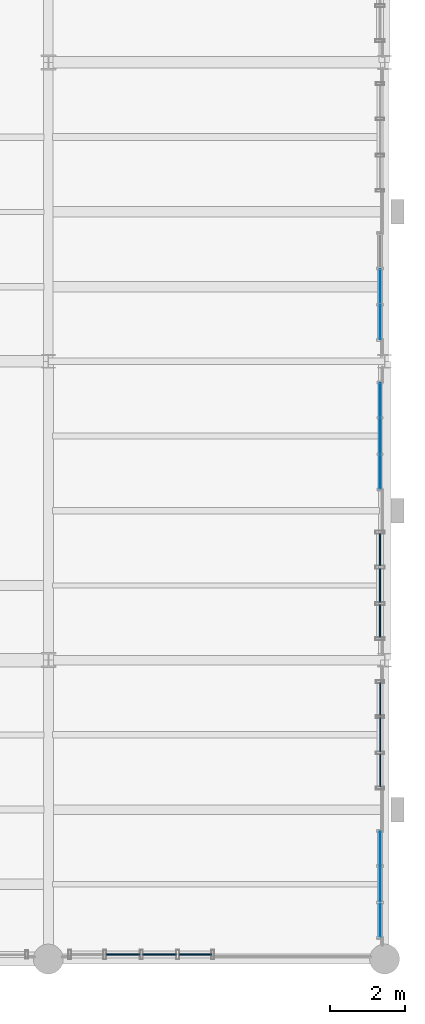
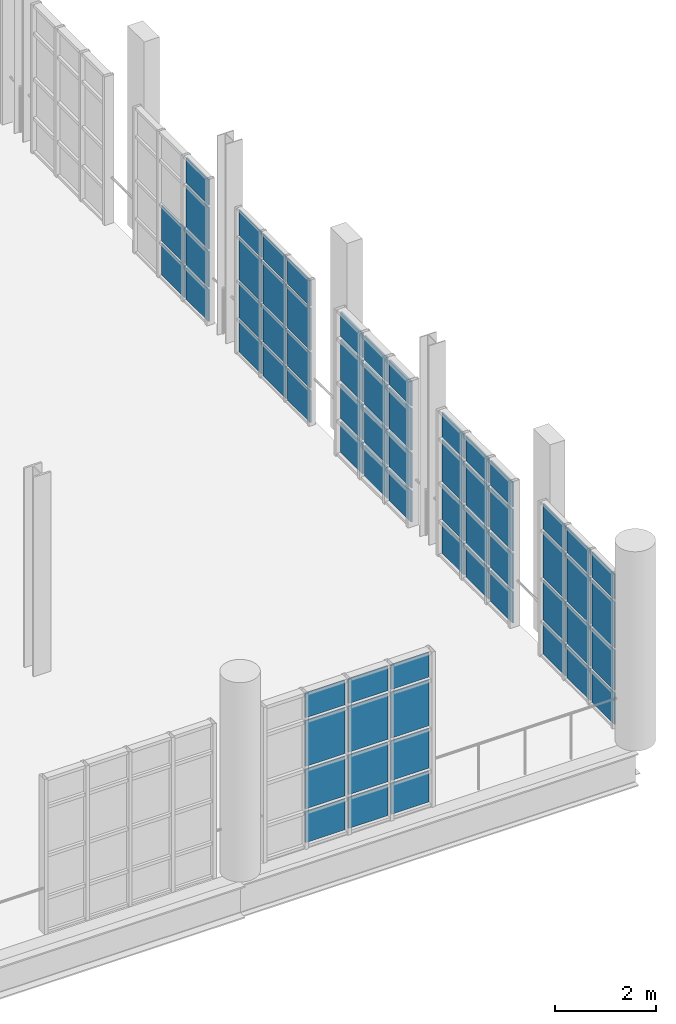
# One storey, part 91 of 122: 66 plates, 6 elements without a shape of their own.
"""IFC4 building model written with IfcOpenShell, lengths in metres."""

from ifc_helpers import new_model, si_unit, direction, frame, origin, origin_2d, place, context, subcontext, project, spatial, rectangle, extrude, material, layer, layer_set, type_object, element, aggregate, save


model = new_model("IFC4")

# Units and contexts
model_context = context("Model", 3, precision=1e-05, world=origin(), true_north=direction((0.0, 1.0)))
body_context = subcontext(model_context, "Body", "Model", "MODEL_VIEW")
ifc_project = project(units=[si_unit("LENGTHUNIT", "METRE"), si_unit("AREAUNIT", "SQUARE_METRE"), si_unit("VOLUMEUNIT", "CUBIC_METRE"), si_unit("PLANEANGLEUNIT", "RADIAN"), si_unit("MASSUNIT", "GRAM", prefix="KILO"), si_unit("THERMODYNAMICTEMPERATUREUNIT", "KELVIN"), si_unit("POWERUNIT", "WATT")], contexts=[model_context])

# Site, building, storey
site_placement = place(None, origin())
site = spatial("IfcSite", under=ifc_project, at=site_placement, CompositionType="ELEMENT")
building_placement = place(site_placement, origin())
building = spatial("IfcBuilding", under=site, at=building_placement, Name="Zelmaris Science Centre", CompositionType="ELEMENT")
storey_placement = place(building_placement, frame((0.0, 0.0, 10.800048828125)))
storey = spatial("IfcBuildingStorey", under=building, at=storey_placement, Name="L02", CompositionType="ELEMENT", Elevation=10.800048828125)

# Curtain wall, plates
ifc_material_1 = material(Name="Anodised architectural aluminium 6063-T6", Category="aluminium")
ifc_layer_1 = layer(ifc_material_1, 0.18994140625, Name="Anodised architectural aluminium 6063-T6")
ifc_layer_set_1 = layer_set([ifc_layer_1], Name="Anodised architectural aluminium 6063-T6")
curtain_wall_type_1 = type_object("IfcCurtainWallType", Name="Curtain Wall CW-01", PredefinedType="USERDEFINED", material=ifc_layer_set_1)
curtain_wall_1_placement = place(storey_placement, origin())
curtain_wall_1 = element("IfcCurtainWall", 1, at=curtain_wall_1_placement, inside=storey, type_object=curtain_wall_type_1, Name="L02 Unitised curtain wall 233", ObjectType="GLAZED CURTAIN WALL", PredefinedType="USERDEFINED")
ifc_material_2 = material(Name="Laminated hurricane-rated low-E insulated glazing", Category="glass")
ifc_layer_2 = layer(ifc_material_2, 0.031982421875, Name="Laminated hurricane-rated low-E insulated glazing")
ifc_layer_set_2 = layer_set([ifc_layer_2], Name="Laminated hurricane-rated low-E insulated glazing")
plate_type_1 = type_object("IfcPlateType", Name="Curtain Glazing Panel CWP-1 32mm", PredefinedType="CURTAIN_PANEL", material=ifc_layer_set_2)
plate_1_placement = place(storey_placement, frame((143.8798828125, 18.955322265625, 0.05712890625), z_axis=(0.0, 0.0, 1.0), x_axis=(0.0, -1.0, 0.0)))
plate_1 = element("IfcPlate", 2, at=plate_1_placement, type_object=plate_type_1, Name="CW-01 panel 1.1", PredefinedType="CURTAIN_PANEL", context=body_context, shape_type="SweptSolid", body=[
    extrude(rectangle(XDim=0.865234375, YDim=0.031982421875, at=origin_2d()), origin(), (0.0, 0.0, 1.0), 0.741943359375),
])
plate_2_placement = place(storey_placement, frame((143.8798828125, 18.955322265625, 0.87109375), z_axis=(0.0, 0.0, 1.0), x_axis=(0.0, -1.0, 0.0)))
plate_2 = element("IfcPlate", 3, at=plate_2_placement, type_object=plate_type_1, Name="CW-01 panel 1.2", PredefinedType="CURTAIN_PANEL", context=body_context, shape_type="SweptSolid", body=[
    extrude(rectangle(XDim=0.865234375, YDim=0.031982421875, at=origin_2d()), origin(), (0.0, 0.0, 1.0), 0.842529296875),
])
plate_3_placement = place(storey_placement, frame((143.8798828125, 18.955322265625, 1.78564453125), z_axis=(0.0, 0.0, 1.0), x_axis=(0.0, -1.0, 0.0)))
plate_3 = element("IfcPlate", 4, at=plate_3_placement, type_object=plate_type_1, Name="CW-01 panel 1.3", PredefinedType="CURTAIN_PANEL", context=body_context, shape_type="SweptSolid", body=[
    extrude(rectangle(XDim=0.865234375, YDim=0.031982421875, at=origin_2d()), origin(), (0.0, 0.0, 1.0), 0.992431640625),
])
plate_4_placement = place(storey_placement, frame((143.8798828125, 18.955322265625, 2.85009765625), z_axis=(0.0, 0.0, 1.0), x_axis=(0.0, -1.0, 0.0)))
plate_4 = element("IfcPlate", 5, at=plate_4_placement, type_object=plate_type_1, Name="CW-01 panel 1.4", PredefinedType="CURTAIN_PANEL", context=body_context, shape_type="SweptSolid", body=[
    extrude(rectangle(XDim=0.865234375, YDim=0.031982421875, at=origin_2d()), origin(), (0.0, 0.0, 1.0), 0.592041015625),
])
plate_5_placement = place(storey_placement, frame((143.8798828125, 18.0, 0.05712890625), z_axis=(0.0, 0.0, 1.0), x_axis=(0.0, -1.0, 0.0)))
plate_5 = element("IfcPlate", 6, at=plate_5_placement, type_object=plate_type_1, Name="CW-01 panel 2.1", PredefinedType="CURTAIN_PANEL", context=body_context, shape_type="SweptSolid", body=[
    extrude(rectangle(XDim=0.9013671875, YDim=0.031982421875, at=origin_2d()), origin(), (0.0, 0.0, 1.0), 0.741943359375),
])
plate_6_placement = place(storey_placement, frame((143.8798828125, 18.0, 0.87109375), z_axis=(0.0, 0.0, 1.0), x_axis=(0.0, -1.0, 0.0)))
plate_6 = element("IfcPlate", 7, at=plate_6_placement, type_object=plate_type_1, Name="CW-01 panel 2.2", PredefinedType="CURTAIN_PANEL", context=body_context, shape_type="SweptSolid", body=[
    extrude(rectangle(XDim=0.9013671875, YDim=0.031982421875, at=origin_2d()), origin(), (0.0, 0.0, 1.0), 0.842529296875),
])
plate_7_placement = place(storey_placement, frame((143.8798828125, 18.0, 1.78564453125), z_axis=(0.0, 0.0, 1.0), x_axis=(0.0, -1.0, 0.0)))
plate_7 = element("IfcPlate", 8, at=plate_7_placement, type_object=plate_type_1, Name="CW-01 panel 2.3", PredefinedType="CURTAIN_PANEL", context=body_context, shape_type="SweptSolid", body=[
    extrude(rectangle(XDim=0.9013671875, YDim=0.031982421875, at=origin_2d()), origin(), (0.0, 0.0, 1.0), 0.992431640625),
])
plate_8_placement = place(storey_placement, frame((143.8798828125, 18.0, 2.85009765625), z_axis=(0.0, 0.0, 1.0), x_axis=(0.0, -1.0, 0.0)))
plate_8 = element("IfcPlate", 9, at=plate_8_placement, type_object=plate_type_1, Name="CW-01 panel 2.4", PredefinedType="CURTAIN_PANEL", context=body_context, shape_type="SweptSolid", body=[
    extrude(rectangle(XDim=0.9013671875, YDim=0.031982421875, at=origin_2d()), origin(), (0.0, 0.0, 1.0), 0.592041015625),
])
plate_9_placement = place(storey_placement, frame((143.8798828125, 17.044677734375, 0.05712890625), z_axis=(0.0, 0.0, 1.0), x_axis=(0.0, -1.0, 0.0)))
plate_9 = element("IfcPlate", 10, at=plate_9_placement, type_object=plate_type_1, Name="CW-01 panel 3.1", PredefinedType="CURTAIN_PANEL", context=body_context, shape_type="SweptSolid", body=[
    extrude(rectangle(XDim=0.865234375, YDim=0.031982421875, at=origin_2d()), origin(), (0.0, 0.0, 1.0), 0.741943359375),
])
plate_10_placement = place(storey_placement, frame((143.8798828125, 17.044677734375, 0.87109375), z_axis=(0.0, 0.0, 1.0), x_axis=(0.0, -1.0, 0.0)))
plate_10 = element("IfcPlate", 11, at=plate_10_placement, type_object=plate_type_1, Name="CW-01 panel 3.2", PredefinedType="CURTAIN_PANEL", context=body_context, shape_type="SweptSolid", body=[
    extrude(rectangle(XDim=0.865234375, YDim=0.031982421875, at=origin_2d()), origin(), (0.0, 0.0, 1.0), 0.842529296875),
])
plate_11_placement = place(storey_placement, frame((143.8798828125, 17.044677734375, 1.78564453125), z_axis=(0.0, 0.0, 1.0), x_axis=(0.0, -1.0, 0.0)))
plate_11 = element("IfcPlate", 12, at=plate_11_placement, type_object=plate_type_1, Name="CW-01 panel 3.3", PredefinedType="CURTAIN_PANEL", context=body_context, shape_type="SweptSolid", body=[
    extrude(rectangle(XDim=0.865234375, YDim=0.031982421875, at=origin_2d()), origin(), (0.0, 0.0, 1.0), 0.992431640625),
])
plate_12_placement = place(storey_placement, frame((143.8798828125, 17.044677734375, 2.85009765625), z_axis=(0.0, 0.0, 1.0), x_axis=(0.0, -1.0, 0.0)))
plate_12 = element("IfcPlate", 13, at=plate_12_placement, type_object=plate_type_1, Name="CW-01 panel 3.4", PredefinedType="CURTAIN_PANEL", context=body_context, shape_type="SweptSolid", body=[
    extrude(rectangle(XDim=0.865234375, YDim=0.031982421875, at=origin_2d()), origin(), (0.0, 0.0, 1.0), 0.592041015625),
])
aggregate(curtain_wall_1, [plate_1, plate_2, plate_3, plate_4, plate_5, plate_6, plate_7, plate_8, plate_9, plate_10, plate_11, plate_12])

curtain_wall_2_placement = place(storey_placement, origin())
curtain_wall_2 = element("IfcCurtainWall", 14, at=curtain_wall_2_placement, inside=storey, type_object=curtain_wall_type_1, Name="L02 Unitised curtain wall 237", ObjectType="GLAZED CURTAIN WALL", PredefinedType="USERDEFINED")
plate_13_placement = place(storey_placement, frame((138.9345703125, 8.1201171875, 0.05712890625), z_axis=(0.0, 0.0, 1.0), x_axis=(-1.0, 0.0, 0.0)))
plate_13 = element("IfcPlate", 15, at=plate_13_placement, type_object=plate_type_1, Name="CW-01 panel 1.1", PredefinedType="CURTAIN_PANEL", context=body_context, shape_type="SweptSolid", body=[
    extrude(rectangle(XDim=0.866943359375, YDim=0.031982421875, at=origin_2d()), origin(), (0.0, 0.0, 1.0), 0.741943359375),
])
plate_14_placement = place(storey_placement, frame((138.9345703125, 8.1201171875, 0.87109375), z_axis=(0.0, 0.0, 1.0), x_axis=(-1.0, 0.0, 0.0)))
plate_14 = element("IfcPlate", 16, at=plate_14_placement, type_object=plate_type_1, Name="CW-01 panel 1.2", PredefinedType="CURTAIN_PANEL", context=body_context, shape_type="SweptSolid", body=[
    extrude(rectangle(XDim=0.866943359375, YDim=0.031982421875, at=origin_2d()), origin(), (0.0, 0.0, 1.0), 0.949462890625),
])
plate_15_placement = place(storey_placement, frame((138.9345703125, 8.1201171875, 1.892333984375), z_axis=(0.0, 0.0, 1.0), x_axis=(-1.0, 0.0, 0.0)))
plate_15 = element("IfcPlate", 17, at=plate_15_placement, type_object=plate_type_1, Name="CW-01 panel 1.3", PredefinedType="CURTAIN_PANEL", context=body_context, shape_type="SweptSolid", body=[
    extrude(rectangle(XDim=0.866943359375, YDim=0.031982421875, at=origin_2d()), origin(), (0.0, 0.0, 1.0), 1.099609375),
])
plate_16_placement = place(storey_placement, frame((138.9345703125, 8.1201171875, 3.06396484375), z_axis=(0.0, 0.0, 1.0), x_axis=(-1.0, 0.0, 0.0)))
plate_16 = element("IfcPlate", 18, at=plate_16_placement, type_object=plate_type_1, Name="CW-01 panel 1.4", PredefinedType="CURTAIN_PANEL", context=body_context, shape_type="SweptSolid", body=[
    extrude(rectangle(XDim=0.866943359375, YDim=0.031982421875, at=origin_2d()), origin(), (0.0, 0.0, 1.0), 0.592041015625),
])
plate_17_placement = place(storey_placement, frame((137.9775390625, 8.1201171875, 0.05712890625), z_axis=(0.0, 0.0, 1.0), x_axis=(-1.0, 0.0, 0.0)))
plate_17 = element("IfcPlate", 19, at=plate_17_placement, type_object=plate_type_1, Name="CW-01 panel 2.1", PredefinedType="CURTAIN_PANEL", context=body_context, shape_type="SweptSolid", body=[
    extrude(rectangle(XDim=0.903076171875, YDim=0.031982421875, at=origin_2d()), origin(), (0.0, 0.0, 1.0), 0.741943359375),
])
plate_18_placement = place(storey_placement, frame((137.9775390625, 8.1201171875, 0.87109375), z_axis=(0.0, 0.0, 1.0), x_axis=(-1.0, 0.0, 0.0)))
plate_18 = element("IfcPlate", 20, at=plate_18_placement, type_object=plate_type_1, Name="CW-01 panel 2.2", PredefinedType="CURTAIN_PANEL", context=body_context, shape_type="SweptSolid", body=[
    extrude(rectangle(XDim=0.903076171875, YDim=0.031982421875, at=origin_2d()), origin(), (0.0, 0.0, 1.0), 0.949462890625),
])
plate_19_placement = place(storey_placement, frame((137.9775390625, 8.1201171875, 1.892333984375), z_axis=(0.0, 0.0, 1.0), x_axis=(-1.0, 0.0, 0.0)))
plate_19 = element("IfcPlate", 21, at=plate_19_placement, type_object=plate_type_1, Name="CW-01 panel 2.3", PredefinedType="CURTAIN_PANEL", context=body_context, shape_type="SweptSolid", body=[
    extrude(rectangle(XDim=0.903076171875, YDim=0.031982421875, at=origin_2d()), origin(), (0.0, 0.0, 1.0), 1.099609375),
])
plate_20_placement = place(storey_placement, frame((137.9775390625, 8.1201171875, 3.06396484375), z_axis=(0.0, 0.0, 1.0), x_axis=(-1.0, 0.0, 0.0)))
plate_20 = element("IfcPlate", 22, at=plate_20_placement, type_object=plate_type_1, Name="CW-01 panel 2.4", PredefinedType="CURTAIN_PANEL", context=body_context, shape_type="SweptSolid", body=[
    extrude(rectangle(XDim=0.903076171875, YDim=0.031982421875, at=origin_2d()), origin(), (0.0, 0.0, 1.0), 0.592041015625),
])
plate_21_placement = place(storey_placement, frame((137.00244140625, 8.1201171875, 0.05712890625), z_axis=(0.0, 0.0, 1.0), x_axis=(-1.0, 0.0, 0.0)))
plate_21 = element("IfcPlate", 23, at=plate_21_placement, type_object=plate_type_1, Name="CW-01 panel 3.1", PredefinedType="CURTAIN_PANEL", context=body_context, shape_type="SweptSolid", body=[
    extrude(rectangle(XDim=0.903076171875, YDim=0.031982421875, at=origin_2d()), origin(), (0.0, 0.0, 1.0), 0.741943359375),
])
plate_22_placement = place(storey_placement, frame((137.00244140625, 8.1201171875, 0.87109375), z_axis=(0.0, 0.0, 1.0), x_axis=(-1.0, 0.0, 0.0)))
plate_22 = element("IfcPlate", 24, at=plate_22_placement, type_object=plate_type_1, Name="CW-01 panel 3.2", PredefinedType="CURTAIN_PANEL", context=body_context, shape_type="SweptSolid", body=[
    extrude(rectangle(XDim=0.903076171875, YDim=0.031982421875, at=origin_2d()), origin(), (0.0, 0.0, 1.0), 0.949462890625),
])
plate_23_placement = place(storey_placement, frame((137.00244140625, 8.1201171875, 1.892333984375), z_axis=(0.0, 0.0, 1.0), x_axis=(-1.0, 0.0, 0.0)))
plate_23 = element("IfcPlate", 25, at=plate_23_placement, type_object=plate_type_1, Name="CW-01 panel 3.3", PredefinedType="CURTAIN_PANEL", context=body_context, shape_type="SweptSolid", body=[
    extrude(rectangle(XDim=0.903076171875, YDim=0.031982421875, at=origin_2d()), origin(), (0.0, 0.0, 1.0), 1.099609375),
])
plate_24_placement = place(storey_placement, frame((137.00244140625, 8.1201171875, 3.06396484375), z_axis=(0.0, 0.0, 1.0), x_axis=(-1.0, 0.0, 0.0)))
plate_24 = element("IfcPlate", 26, at=plate_24_placement, type_object=plate_type_1, Name="CW-01 panel 3.4", PredefinedType="CURTAIN_PANEL", context=body_context, shape_type="SweptSolid", body=[
    extrude(rectangle(XDim=0.903076171875, YDim=0.031982421875, at=origin_2d()), origin(), (0.0, 0.0, 1.0), 0.592041015625),
])
aggregate(curtain_wall_2, [plate_13, plate_14, plate_15, plate_16, plate_17, plate_18, plate_19, plate_20, plate_21, plate_22, plate_23, plate_24])

ifc_layer_3 = layer(ifc_material_1, 0.199951171875, Name="Anodised architectural aluminium 6063-T6")
ifc_layer_set_3 = layer_set([ifc_layer_3], Name="Anodised architectural aluminium 6063-T6")
curtain_wall_type_2 = type_object("IfcCurtainWallType", Name="Curtain Wall CW-02", PredefinedType="USERDEFINED", material=ifc_layer_set_3)
curtain_wall_3_placement = place(storey_placement, origin())
curtain_wall_3 = element("IfcCurtainWall", 27, at=curtain_wall_3_placement, inside=storey, type_object=curtain_wall_type_2, Name="L02 Unitised curtain wall 234", ObjectType="GLAZED CURTAIN WALL", PredefinedType="USERDEFINED")
ifc_layer_4 = layer(ifc_material_2, 0.028076171875, Name="Laminated hurricane-rated low-E insulated glazing")
ifc_layer_set_4 = layer_set([ifc_layer_4], Name="Laminated hurricane-rated low-E insulated glazing")
plate_type_2 = type_object("IfcPlateType", Name="Curtain Glazing Panel CWP-2 28mm", PredefinedType="CURTAIN_PANEL", material=ifc_layer_set_4)
plate_25_placement = place(storey_placement, frame((143.8798828125, 14.95654296875, 0.052001953125), z_axis=(0.0, 0.0, 1.0), x_axis=(0.0, -1.0, 0.0)))
plate_25 = element("IfcPlate", 28, at=plate_25_placement, type_object=plate_type_2, Name="CW-02 panel 1.1", PredefinedType="CURTAIN_PANEL", context=body_context, shape_type="SweptSolid", body=[
    extrude(rectangle(XDim=0.872802734375, YDim=0.028076171875, at=origin_2d()), origin(), (0.0, 0.0, 1.0), 0.74951171875),
])
plate_26_placement = place(storey_placement, frame((143.8798828125, 14.95654296875, 0.86865234375), z_axis=(0.0, 0.0, 1.0), x_axis=(0.0, -1.0, 0.0)))
plate_26 = element("IfcPlate", 29, at=plate_26_placement, type_object=plate_type_2, Name="CW-02 panel 1.2", PredefinedType="CURTAIN_PANEL", context=body_context, shape_type="SweptSolid", body=[
    extrude(rectangle(XDim=0.872802734375, YDim=0.028076171875, at=origin_2d()), origin(), (0.0, 0.0, 1.0), 0.847412109375),
])
plate_27_placement = place(storey_placement, frame((143.8798828125, 14.95654296875, 1.782958984375), z_axis=(0.0, 0.0, 1.0), x_axis=(0.0, -1.0, 0.0)))
plate_27 = element("IfcPlate", 30, at=plate_27_placement, type_object=plate_type_2, Name="CW-02 panel 1.3", PredefinedType="CURTAIN_PANEL", context=body_context, shape_type="SweptSolid", body=[
    extrude(rectangle(XDim=0.872802734375, YDim=0.028076171875, at=origin_2d()), origin(), (0.0, 0.0, 1.0), 0.99755859375),
])
plate_28_placement = place(storey_placement, frame((143.8798828125, 14.95654296875, 2.847412109375), z_axis=(0.0, 0.0, 1.0), x_axis=(0.0, -1.0, 0.0)))
plate_28 = element("IfcPlate", 31, at=plate_28_placement, type_object=plate_type_2, Name="CW-02 panel 1.4", PredefinedType="CURTAIN_PANEL", context=body_context, shape_type="SweptSolid", body=[
    extrude(rectangle(XDim=0.872802734375, YDim=0.028076171875, at=origin_2d()), origin(), (0.0, 0.0, 1.0), 0.599609375),
])
plate_29_placement = place(storey_placement, frame((143.8798828125, 14.0, 0.052001953125), z_axis=(0.0, 0.0, 1.0), x_axis=(0.0, -1.0, 0.0)))
plate_29 = element("IfcPlate", 32, at=plate_29_placement, type_object=plate_type_2, Name="CW-02 panel 2.1", PredefinedType="CURTAIN_PANEL", context=body_context, shape_type="SweptSolid", body=[
    extrude(rectangle(XDim=0.90625, YDim=0.028076171875, at=origin_2d()), origin(), (0.0, 0.0, 1.0), 0.74951171875),
])
plate_30_placement = place(storey_placement, frame((143.8798828125, 14.0, 0.86865234375), z_axis=(0.0, 0.0, 1.0), x_axis=(0.0, -1.0, 0.0)))
plate_30 = element("IfcPlate", 33, at=plate_30_placement, type_object=plate_type_2, Name="CW-02 panel 2.2", PredefinedType="CURTAIN_PANEL", context=body_context, shape_type="SweptSolid", body=[
    extrude(rectangle(XDim=0.90625, YDim=0.028076171875, at=origin_2d()), origin(), (0.0, 0.0, 1.0), 0.847412109375),
])
plate_31_placement = place(storey_placement, frame((143.8798828125, 14.0, 1.782958984375), z_axis=(0.0, 0.0, 1.0), x_axis=(0.0, -1.0, 0.0)))
plate_31 = element("IfcPlate", 34, at=plate_31_placement, type_object=plate_type_2, Name="CW-02 panel 2.3", PredefinedType="CURTAIN_PANEL", context=body_context, shape_type="SweptSolid", body=[
    extrude(rectangle(XDim=0.90625, YDim=0.028076171875, at=origin_2d()), origin(), (0.0, 0.0, 1.0), 0.99755859375),
])
plate_32_placement = place(storey_placement, frame((143.8798828125, 14.0, 2.847412109375), z_axis=(0.0, 0.0, 1.0), x_axis=(0.0, -1.0, 0.0)))
plate_32 = element("IfcPlate", 35, at=plate_32_placement, type_object=plate_type_2, Name="CW-02 panel 2.4", PredefinedType="CURTAIN_PANEL", context=body_context, shape_type="SweptSolid", body=[
    extrude(rectangle(XDim=0.90625, YDim=0.028076171875, at=origin_2d()), origin(), (0.0, 0.0, 1.0), 0.599609375),
])
plate_33_placement = place(storey_placement, frame((143.8798828125, 13.04345703125, 0.052001953125), z_axis=(0.0, 0.0, 1.0), x_axis=(0.0, -1.0, 0.0)))
plate_33 = element("IfcPlate", 36, at=plate_33_placement, type_object=plate_type_2, Name="CW-02 panel 3.1", PredefinedType="CURTAIN_PANEL", context=body_context, shape_type="SweptSolid", body=[
    extrude(rectangle(XDim=0.872802734375, YDim=0.028076171875, at=origin_2d()), origin(), (0.0, 0.0, 1.0), 0.74951171875),
])
plate_34_placement = place(storey_placement, frame((143.8798828125, 13.04345703125, 0.86865234375), z_axis=(0.0, 0.0, 1.0), x_axis=(0.0, -1.0, 0.0)))
plate_34 = element("IfcPlate", 37, at=plate_34_placement, type_object=plate_type_2, Name="CW-02 panel 3.2", PredefinedType="CURTAIN_PANEL", context=body_context, shape_type="SweptSolid", body=[
    extrude(rectangle(XDim=0.872802734375, YDim=0.028076171875, at=origin_2d()), origin(), (0.0, 0.0, 1.0), 0.847412109375),
])
plate_35_placement = place(storey_placement, frame((143.8798828125, 13.04345703125, 1.782958984375), z_axis=(0.0, 0.0, 1.0), x_axis=(0.0, -1.0, 0.0)))
plate_35 = element("IfcPlate", 38, at=plate_35_placement, type_object=plate_type_2, Name="CW-02 panel 3.3", PredefinedType="CURTAIN_PANEL", context=body_context, shape_type="SweptSolid", body=[
    extrude(rectangle(XDim=0.872802734375, YDim=0.028076171875, at=origin_2d()), origin(), (0.0, 0.0, 1.0), 0.99755859375),
])
plate_36_placement = place(storey_placement, frame((143.8798828125, 13.04345703125, 2.847412109375), z_axis=(0.0, 0.0, 1.0), x_axis=(0.0, -1.0, 0.0)))
plate_36 = element("IfcPlate", 39, at=plate_36_placement, type_object=plate_type_2, Name="CW-02 panel 3.4", PredefinedType="CURTAIN_PANEL", context=body_context, shape_type="SweptSolid", body=[
    extrude(rectangle(XDim=0.872802734375, YDim=0.028076171875, at=origin_2d()), origin(), (0.0, 0.0, 1.0), 0.599609375),
])
aggregate(curtain_wall_3, [plate_25, plate_26, plate_27, plate_28, plate_29, plate_30, plate_31, plate_32, plate_33, plate_34, plate_35, plate_36])

ifc_layer_5 = layer(ifc_material_1, 0.2099609375, Name="Anodised architectural aluminium 6063-T6")
ifc_layer_set_5 = layer_set([ifc_layer_5], Name="Anodised architectural aluminium 6063-T6")
curtain_wall_type_3 = type_object("IfcCurtainWallType", Name="Curtain Wall CW-03", PredefinedType="USERDEFINED", material=ifc_layer_set_5)
curtain_wall_4_placement = place(storey_placement, origin())
curtain_wall_4 = element("IfcCurtainWall", 40, at=curtain_wall_4_placement, inside=storey, type_object=curtain_wall_type_3, Name="L02 Unitised curtain wall 231", ObjectType="GLAZED CURTAIN WALL", PredefinedType="USERDEFINED")
ifc_layer_6 = layer(ifc_material_2, 0.02587890625, Name="Laminated hurricane-rated low-E insulated glazing")
ifc_layer_set_6 = layer_set([ifc_layer_6], Name="Laminated hurricane-rated low-E insulated glazing")
plate_type_3 = type_object("IfcPlateType", Name="Curtain Glazing Panel CWP-3 26mm", PredefinedType="CURTAIN_PANEL", material=ifc_layer_set_6)
plate_37_placement = place(storey_placement, frame((143.8798828125, 26.0, 0.0419921875), z_axis=(0.0, 0.0, 1.0), x_axis=(0.0, -1.0, 0.0)))
plate_37 = element("IfcPlate", 41, at=plate_37_placement, type_object=plate_type_3, Name="CW-03 panel 2.1", PredefinedType="CURTAIN_PANEL", context=body_context, shape_type="SweptSolid", body=[
    extrude(rectangle(XDim=0.916259765625, YDim=0.02587890625, at=origin_2d()), origin(), (0.0, 0.0, 1.0), 0.764404296875),
])
plate_38_placement = place(storey_placement, frame((143.8798828125, 26.0, 0.863525390625), z_axis=(0.0, 0.0, 1.0), x_axis=(0.0, -1.0, 0.0)))
plate_38 = element("IfcPlate", 42, at=plate_38_placement, type_object=plate_type_3, Name="CW-03 panel 2.2", PredefinedType="CURTAIN_PANEL", context=body_context, shape_type="SweptSolid", body=[
    extrude(rectangle(XDim=0.916259765625, YDim=0.02587890625, at=origin_2d()), origin(), (0.0, 0.0, 1.0), 0.857421875),
])
plate_39_placement = place(storey_placement, frame((143.8798828125, 25.041015625, 0.0419921875), z_axis=(0.0, 0.0, 1.0), x_axis=(0.0, -1.0, 0.0)))
plate_39 = element("IfcPlate", 43, at=plate_39_placement, type_object=plate_type_3, Name="CW-03 panel 3.1", PredefinedType="CURTAIN_PANEL", context=body_context, shape_type="SweptSolid", body=[
    extrude(rectangle(XDim=0.887939453125, YDim=0.02587890625, at=origin_2d()), origin(), (0.0, 0.0, 1.0), 0.764404296875),
])
plate_40_placement = place(storey_placement, frame((143.8798828125, 25.041015625, 0.863525390625), z_axis=(0.0, 0.0, 1.0), x_axis=(0.0, -1.0, 0.0)))
plate_40 = element("IfcPlate", 44, at=plate_40_placement, type_object=plate_type_3, Name="CW-03 panel 3.2", PredefinedType="CURTAIN_PANEL", context=body_context, shape_type="SweptSolid", body=[
    extrude(rectangle(XDim=0.887939453125, YDim=0.02587890625, at=origin_2d()), origin(), (0.0, 0.0, 1.0), 0.857421875),
])
plate_41_placement = place(storey_placement, frame((143.8798828125, 25.041015625, 1.77783203125), z_axis=(0.0, 0.0, 1.0), x_axis=(0.0, -1.0, 0.0)))
plate_41 = element("IfcPlate", 45, at=plate_41_placement, type_object=plate_type_3, Name="CW-03 panel 3.3", PredefinedType="CURTAIN_PANEL", context=body_context, shape_type="SweptSolid", body=[
    extrude(rectangle(XDim=0.887939453125, YDim=0.02587890625, at=origin_2d()), origin(), (0.0, 0.0, 1.0), 1.007568359375),
])
plate_42_placement = place(storey_placement, frame((143.8798828125, 25.041015625, 2.84228515625), z_axis=(0.0, 0.0, 1.0), x_axis=(0.0, -1.0, 0.0)))
plate_42 = element("IfcPlate", 46, at=plate_42_placement, type_object=plate_type_3, Name="CW-03 panel 3.4", PredefinedType="CURTAIN_PANEL", context=body_context, shape_type="SweptSolid", body=[
    extrude(rectangle(XDim=0.887939453125, YDim=0.02587890625, at=origin_2d()), origin(), (0.0, 0.0, 1.0), 0.614501953125),
])
aggregate(curtain_wall_4, [plate_37, plate_38, plate_39, plate_40, plate_41, plate_42])

curtain_wall_5_placement = place(storey_placement, origin())
curtain_wall_5 = element("IfcCurtainWall", 47, at=curtain_wall_5_placement, inside=storey, type_object=curtain_wall_type_3, Name="L02 Unitised curtain wall 235", ObjectType="GLAZED CURTAIN WALL", PredefinedType="USERDEFINED")
plate_43_placement = place(storey_placement, frame((143.8798828125, 10.958984375, 0.0419921875), z_axis=(0.0, 0.0, 1.0), x_axis=(0.0, -1.0, 0.0)))
plate_43 = element("IfcPlate", 48, at=plate_43_placement, type_object=plate_type_3, Name="CW-03 panel 1.1", PredefinedType="CURTAIN_PANEL", context=body_context, shape_type="SweptSolid", body=[
    extrude(rectangle(XDim=0.8876953125, YDim=0.02587890625, at=origin_2d()), origin(), (0.0, 0.0, 1.0), 0.764404296875),
])
plate_44_placement = place(storey_placement, frame((143.8798828125, 10.958984375, 0.863525390625), z_axis=(0.0, 0.0, 1.0), x_axis=(0.0, -1.0, 0.0)))
plate_44 = element("IfcPlate", 49, at=plate_44_placement, type_object=plate_type_3, Name="CW-03 panel 1.2", PredefinedType="CURTAIN_PANEL", context=body_context, shape_type="SweptSolid", body=[
    extrude(rectangle(XDim=0.8876953125, YDim=0.02587890625, at=origin_2d()), origin(), (0.0, 0.0, 1.0), 0.962890625),
])
plate_45_placement = place(storey_placement, frame((143.8798828125, 10.958984375, 1.88330078125), z_axis=(0.0, 0.0, 1.0), x_axis=(0.0, -1.0, 0.0)))
plate_45 = element("IfcPlate", 50, at=plate_45_placement, type_object=plate_type_3, Name="CW-03 panel 1.3", PredefinedType="CURTAIN_PANEL", context=body_context, shape_type="SweptSolid", body=[
    extrude(rectangle(XDim=0.8876953125, YDim=0.02587890625, at=origin_2d()), origin(), (0.0, 0.0, 1.0), 1.113037109375),
])
plate_46_placement = place(storey_placement, frame((143.8798828125, 10.958984375, 3.05322265625), z_axis=(0.0, 0.0, 1.0), x_axis=(0.0, -1.0, 0.0)))
plate_46 = element("IfcPlate", 51, at=plate_46_placement, type_object=plate_type_3, Name="CW-03 panel 1.4", PredefinedType="CURTAIN_PANEL", context=body_context, shape_type="SweptSolid", body=[
    extrude(rectangle(XDim=0.8876953125, YDim=0.02587890625, at=origin_2d()), origin(), (0.0, 0.0, 1.0), 0.614501953125),
])
plate_47_placement = place(storey_placement, frame((143.8798828125, 10.0, 0.0419921875), z_axis=(0.0, 0.0, 1.0), x_axis=(0.0, -1.0, 0.0)))
plate_47 = element("IfcPlate", 52, at=plate_47_placement, type_object=plate_type_3, Name="CW-03 panel 2.1", PredefinedType="CURTAIN_PANEL", context=body_context, shape_type="SweptSolid", body=[
    extrude(rectangle(XDim=0.916259765625, YDim=0.02587890625, at=origin_2d()), origin(), (0.0, 0.0, 1.0), 0.764404296875),
])
plate_48_placement = place(storey_placement, frame((143.8798828125, 10.0, 0.863525390625), z_axis=(0.0, 0.0, 1.0), x_axis=(0.0, -1.0, 0.0)))
plate_48 = element("IfcPlate", 53, at=plate_48_placement, type_object=plate_type_3, Name="CW-03 panel 2.2", PredefinedType="CURTAIN_PANEL", context=body_context, shape_type="SweptSolid", body=[
    extrude(rectangle(XDim=0.916259765625, YDim=0.02587890625, at=origin_2d()), origin(), (0.0, 0.0, 1.0), 0.962890625),
])
plate_49_placement = place(storey_placement, frame((143.8798828125, 10.0, 1.88330078125), z_axis=(0.0, 0.0, 1.0), x_axis=(0.0, -1.0, 0.0)))
plate_49 = element("IfcPlate", 54, at=plate_49_placement, type_object=plate_type_3, Name="CW-03 panel 2.3", PredefinedType="CURTAIN_PANEL", context=body_context, shape_type="SweptSolid", body=[
    extrude(rectangle(XDim=0.916259765625, YDim=0.02587890625, at=origin_2d()), origin(), (0.0, 0.0, 1.0), 1.113037109375),
])
plate_50_placement = place(storey_placement, frame((143.8798828125, 10.0, 3.05322265625), z_axis=(0.0, 0.0, 1.0), x_axis=(0.0, -1.0, 0.0)))
plate_50 = element("IfcPlate", 55, at=plate_50_placement, type_object=plate_type_3, Name="CW-03 panel 2.4", PredefinedType="CURTAIN_PANEL", context=body_context, shape_type="SweptSolid", body=[
    extrude(rectangle(XDim=0.916259765625, YDim=0.02587890625, at=origin_2d()), origin(), (0.0, 0.0, 1.0), 0.614501953125),
])
plate_51_placement = place(storey_placement, frame((143.8798828125, 9.041015625, 0.0419921875), z_axis=(0.0, 0.0, 1.0), x_axis=(0.0, -1.0, 0.0)))
plate_51 = element("IfcPlate", 56, at=plate_51_placement, type_object=plate_type_3, Name="CW-03 panel 3.1", PredefinedType="CURTAIN_PANEL", context=body_context, shape_type="SweptSolid", body=[
    extrude(rectangle(XDim=0.8876953125, YDim=0.02587890625, at=origin_2d()), origin(), (0.0, 0.0, 1.0), 0.764404296875),
])
plate_52_placement = place(storey_placement, frame((143.8798828125, 9.041015625, 0.863525390625), z_axis=(0.0, 0.0, 1.0), x_axis=(0.0, -1.0, 0.0)))
plate_52 = element("IfcPlate", 57, at=plate_52_placement, type_object=plate_type_3, Name="CW-03 panel 3.2", PredefinedType="CURTAIN_PANEL", context=body_context, shape_type="SweptSolid", body=[
    extrude(rectangle(XDim=0.8876953125, YDim=0.02587890625, at=origin_2d()), origin(), (0.0, 0.0, 1.0), 0.962890625),
])
plate_53_placement = place(storey_placement, frame((143.8798828125, 9.041015625, 1.88330078125), z_axis=(0.0, 0.0, 1.0), x_axis=(0.0, -1.0, 0.0)))
plate_53 = element("IfcPlate", 58, at=plate_53_placement, type_object=plate_type_3, Name="CW-03 panel 3.3", PredefinedType="CURTAIN_PANEL", context=body_context, shape_type="SweptSolid", body=[
    extrude(rectangle(XDim=0.8876953125, YDim=0.02587890625, at=origin_2d()), origin(), (0.0, 0.0, 1.0), 1.113037109375),
])
plate_54_placement = place(storey_placement, frame((143.8798828125, 9.041015625, 3.05322265625), z_axis=(0.0, 0.0, 1.0), x_axis=(0.0, -1.0, 0.0)))
plate_54 = element("IfcPlate", 59, at=plate_54_placement, type_object=plate_type_3, Name="CW-03 panel 3.4", PredefinedType="CURTAIN_PANEL", context=body_context, shape_type="SweptSolid", body=[
    extrude(rectangle(XDim=0.8876953125, YDim=0.02587890625, at=origin_2d()), origin(), (0.0, 0.0, 1.0), 0.614501953125),
])
aggregate(curtain_wall_5, [plate_43, plate_44, plate_45, plate_46, plate_47, plate_48, plate_49, plate_50, plate_51, plate_52, plate_53, plate_54])

ifc_layer_7 = layer(ifc_material_1, 0.219970703125, Name="Anodised architectural aluminium 6063-T6")
ifc_layer_set_7 = layer_set([ifc_layer_7], Name="Anodised architectural aluminium 6063-T6")
curtain_wall_type_4 = type_object("IfcCurtainWallType", Name="Curtain Wall CW-04", PredefinedType="USERDEFINED", material=ifc_layer_set_7)
curtain_wall_6_placement = place(storey_placement, origin())
curtain_wall_6 = element("IfcCurtainWall", 60, at=curtain_wall_6_placement, inside=storey, type_object=curtain_wall_type_4, Name="L02 Unitised curtain wall 232", ObjectType="GLAZED CURTAIN WALL", PredefinedType="USERDEFINED")
ifc_layer_8 = layer(ifc_material_2, 0.02392578125, Name="Laminated hurricane-rated low-E insulated glazing")
ifc_layer_set_8 = layer_set([ifc_layer_8], Name="Laminated hurricane-rated low-E insulated glazing")
plate_type_4 = type_object("IfcPlateType", Name="Curtain Glazing Panel CWP-4 24mm", PredefinedType="CURTAIN_PANEL", material=ifc_layer_set_8)
plate_55_placement = place(storey_placement, frame((143.8798828125, 22.96044921875, 0.036865234375), z_axis=(0.0, 0.0, 1.0), x_axis=(0.0, -1.0, 0.0)))
plate_55 = element("IfcPlate", 61, at=plate_55_placement, type_object=plate_type_4, Name="CW-04 panel 1.1", PredefinedType="CURTAIN_PANEL", context=body_context, shape_type="SweptSolid", body=[
    extrude(rectangle(XDim=0.895263671875, YDim=0.02392578125, at=origin_2d()), origin(), (0.0, 0.0, 1.0), 0.77197265625),
])
plate_56_placement = place(storey_placement, frame((143.8798828125, 22.96044921875, 0.86083984375), z_axis=(0.0, 0.0, 1.0), x_axis=(0.0, -1.0, 0.0)))
plate_56 = element("IfcPlate", 62, at=plate_56_placement, type_object=plate_type_4, Name="CW-04 panel 1.2", PredefinedType="CURTAIN_PANEL", context=body_context, shape_type="SweptSolid", body=[
    extrude(rectangle(XDim=0.895263671875, YDim=0.02392578125, at=origin_2d()), origin(), (0.0, 0.0, 1.0), 0.862548828125),
])
plate_57_placement = place(storey_placement, frame((143.8798828125, 22.96044921875, 1.775390625), z_axis=(0.0, 0.0, 1.0), x_axis=(0.0, -1.0, 0.0)))
plate_57 = element("IfcPlate", 63, at=plate_57_placement, type_object=plate_type_4, Name="CW-04 panel 1.3", PredefinedType="CURTAIN_PANEL", context=body_context, shape_type="SweptSolid", body=[
    extrude(rectangle(XDim=0.895263671875, YDim=0.02392578125, at=origin_2d()), origin(), (0.0, 0.0, 1.0), 1.012451171875),
])
plate_58_placement = place(storey_placement, frame((143.8798828125, 22.96044921875, 2.83984375), z_axis=(0.0, 0.0, 1.0), x_axis=(0.0, -1.0, 0.0)))
plate_58 = element("IfcPlate", 64, at=plate_58_placement, type_object=plate_type_4, Name="CW-04 panel 1.4", PredefinedType="CURTAIN_PANEL", context=body_context, shape_type="SweptSolid", body=[
    extrude(rectangle(XDim=0.895263671875, YDim=0.02392578125, at=origin_2d()), origin(), (0.0, 0.0, 1.0), 0.6220703125),
])
plate_59_placement = place(storey_placement, frame((143.8798828125, 22.0, 0.036865234375), z_axis=(0.0, 0.0, 1.0), x_axis=(0.0, -1.0, 0.0)))
plate_59 = element("IfcPlate", 65, at=plate_59_placement, type_object=plate_type_4, Name="CW-04 panel 2.1", PredefinedType="CURTAIN_PANEL", context=body_context, shape_type="SweptSolid", body=[
    extrude(rectangle(XDim=0.92138671875, YDim=0.02392578125, at=origin_2d()), origin(), (0.0, 0.0, 1.0), 0.77197265625),
])
plate_60_placement = place(storey_placement, frame((143.8798828125, 22.0, 0.86083984375), z_axis=(0.0, 0.0, 1.0), x_axis=(0.0, -1.0, 0.0)))
plate_60 = element("IfcPlate", 66, at=plate_60_placement, type_object=plate_type_4, Name="CW-04 panel 2.2", PredefinedType="CURTAIN_PANEL", context=body_context, shape_type="SweptSolid", body=[
    extrude(rectangle(XDim=0.92138671875, YDim=0.02392578125, at=origin_2d()), origin(), (0.0, 0.0, 1.0), 0.862548828125),
])
plate_61_placement = place(storey_placement, frame((143.8798828125, 22.0, 1.775390625), z_axis=(0.0, 0.0, 1.0), x_axis=(0.0, -1.0, 0.0)))
plate_61 = element("IfcPlate", 67, at=plate_61_placement, type_object=plate_type_4, Name="CW-04 panel 2.3", PredefinedType="CURTAIN_PANEL", context=body_context, shape_type="SweptSolid", body=[
    extrude(rectangle(XDim=0.92138671875, YDim=0.02392578125, at=origin_2d()), origin(), (0.0, 0.0, 1.0), 1.012451171875),
])
plate_62_placement = place(storey_placement, frame((143.8798828125, 22.0, 2.83984375), z_axis=(0.0, 0.0, 1.0), x_axis=(0.0, -1.0, 0.0)))
plate_62 = element("IfcPlate", 68, at=plate_62_placement, type_object=plate_type_4, Name="CW-04 panel 2.4", PredefinedType="CURTAIN_PANEL", context=body_context, shape_type="SweptSolid", body=[
    extrude(rectangle(XDim=0.92138671875, YDim=0.02392578125, at=origin_2d()), origin(), (0.0, 0.0, 1.0), 0.6220703125),
])
plate_63_placement = place(storey_placement, frame((143.8798828125, 21.03955078125, 0.036865234375), z_axis=(0.0, 0.0, 1.0), x_axis=(0.0, -1.0, 0.0)))
plate_63 = element("IfcPlate", 69, at=plate_63_placement, type_object=plate_type_4, Name="CW-04 panel 3.1", PredefinedType="CURTAIN_PANEL", context=body_context, shape_type="SweptSolid", body=[
    extrude(rectangle(XDim=0.895263671875, YDim=0.02392578125, at=origin_2d()), origin(), (0.0, 0.0, 1.0), 0.77197265625),
])
plate_64_placement = place(storey_placement, frame((143.8798828125, 21.03955078125, 0.86083984375), z_axis=(0.0, 0.0, 1.0), x_axis=(0.0, -1.0, 0.0)))
plate_64 = element("IfcPlate", 70, at=plate_64_placement, type_object=plate_type_4, Name="CW-04 panel 3.2", PredefinedType="CURTAIN_PANEL", context=body_context, shape_type="SweptSolid", body=[
    extrude(rectangle(XDim=0.895263671875, YDim=0.02392578125, at=origin_2d()), origin(), (0.0, 0.0, 1.0), 0.862548828125),
])
plate_65_placement = place(storey_placement, frame((143.8798828125, 21.03955078125, 1.775390625), z_axis=(0.0, 0.0, 1.0), x_axis=(0.0, -1.0, 0.0)))
plate_65 = element("IfcPlate", 71, at=plate_65_placement, type_object=plate_type_4, Name="CW-04 panel 3.3", PredefinedType="CURTAIN_PANEL", context=body_context, shape_type="SweptSolid", body=[
    extrude(rectangle(XDim=0.895263671875, YDim=0.02392578125, at=origin_2d()), origin(), (0.0, 0.0, 1.0), 1.012451171875),
])
plate_66_placement = place(storey_placement, frame((143.8798828125, 21.03955078125, 2.83984375), z_axis=(0.0, 0.0, 1.0), x_axis=(0.0, -1.0, 0.0)))
plate_66 = element("IfcPlate", 72, at=plate_66_placement, type_object=plate_type_4, Name="CW-04 panel 3.4", PredefinedType="CURTAIN_PANEL", context=body_context, shape_type="SweptSolid", body=[
    extrude(rectangle(XDim=0.895263671875, YDim=0.02392578125, at=origin_2d()), origin(), (0.0, 0.0, 1.0), 0.6220703125),
])
aggregate(curtain_wall_6, [plate_55, plate_56, plate_57, plate_58, plate_59, plate_60, plate_61, plate_62, plate_63, plate_64, plate_65, plate_66])

save(model, "model.ifc")
